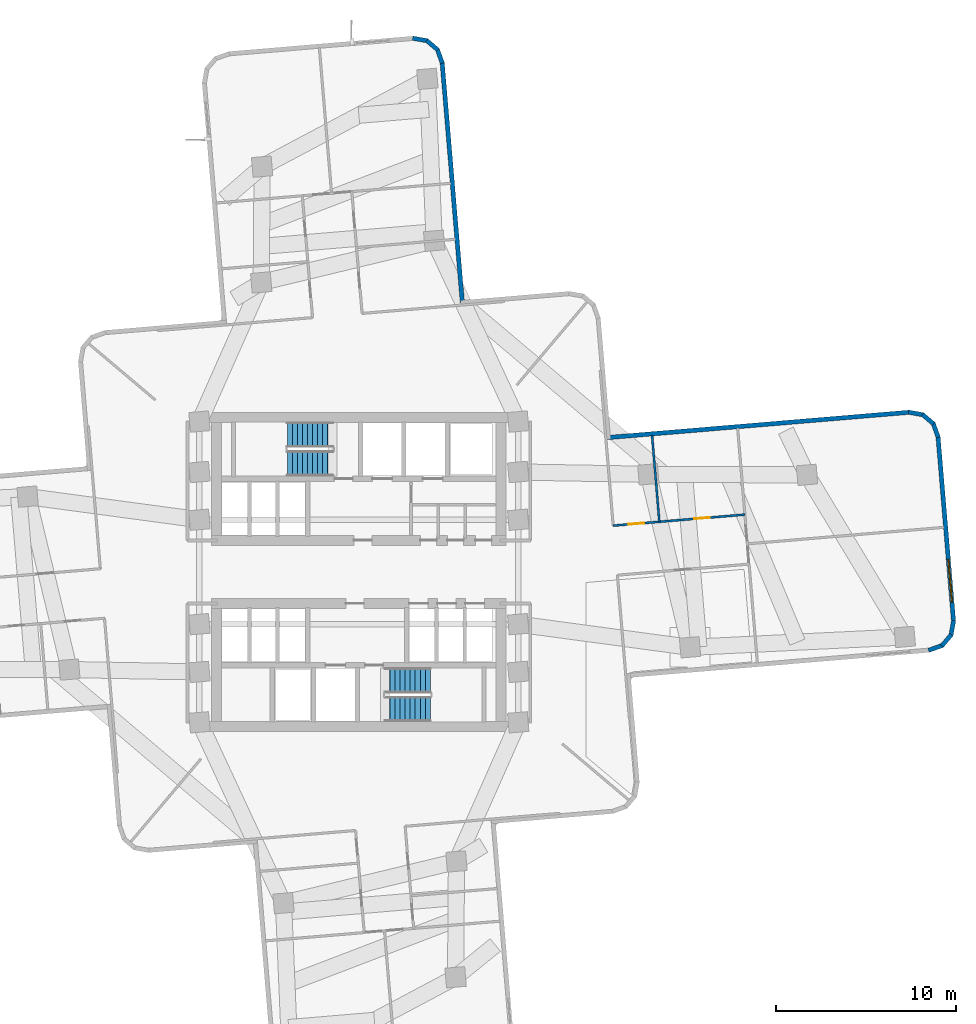
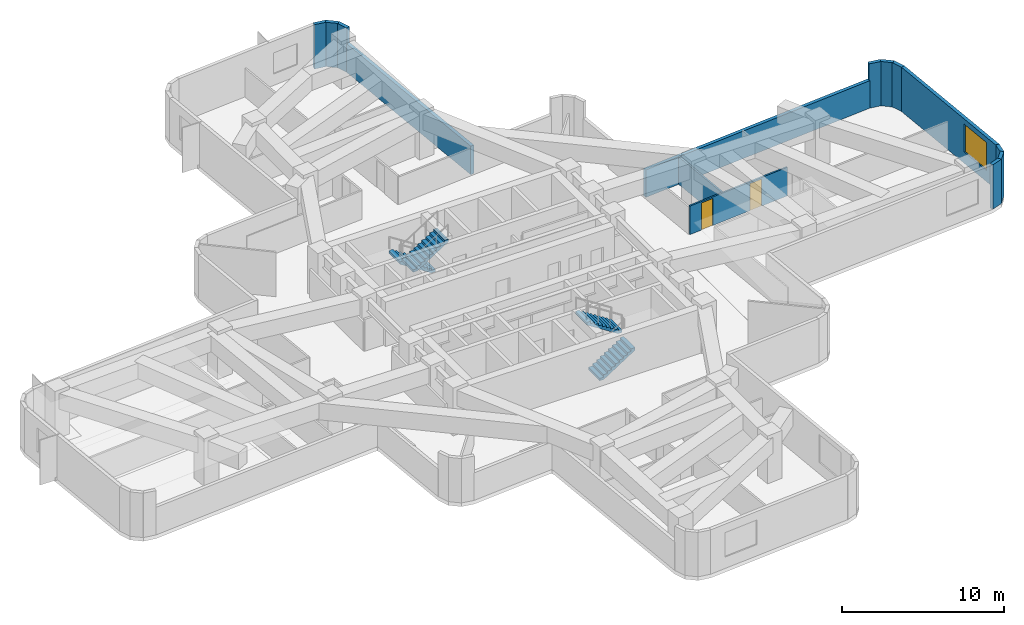
# One storey, part 6 of 11: 14 walls, 4 stair flights, 2 doors, 1 window, 3 openings, 2 elements without a shape of their own.
"""IFC4 building model written with IfcOpenShell, lengths in metres."""

from ifc_helpers import new_model, si_unit, direction, frame, frame_2d, origin, place, context, subcontext, project, spatial, polyline, rectangle, outline, extrude, material, layer, layer_set, type_object, element, fill, aggregate, save


model = new_model("IFC4")

# Units and contexts
model_context = context("Model", 3, precision=1e-05, world=origin(), true_north=direction((0.0, 1.0)))
body_context = subcontext(model_context, "Body", "Model", "MODEL_VIEW")
ifc_project = project(units=[si_unit("LENGTHUNIT", "METRE"), si_unit("AREAUNIT", "SQUARE_METRE"), si_unit("VOLUMEUNIT", "CUBIC_METRE"), si_unit("PLANEANGLEUNIT", "RADIAN"), si_unit("MASSUNIT", "GRAM", prefix="KILO")], contexts=[model_context])

# Site, building, storey
site_placement = place(None, origin())
site = spatial("IfcSite", under=ifc_project, at=site_placement, CompositionType="ELEMENT")
building_placement = place(site_placement, origin())
building = spatial("IfcBuilding", under=site, at=building_placement, Name="Solmarez Civic Tower", CompositionType="ELEMENT")
storey_placement = place(building_placement, frame((0.0, 0.0, 64.080078125)))
storey = spatial("IfcBuildingStorey", under=building, at=storey_placement, Name="L16", CompositionType="ELEMENT", Elevation=64.080078125)

# Walls
ifc_material_1 = material(Name="Precast concrete C40/50", Category="concrete")
ifc_layer_1 = layer(ifc_material_1, 0.239990234375)
ifc_layer_set_1 = layer_set([ifc_layer_1], Name="Precast concrete C40/50")
wall_type_1 = type_object("IfcWallType", Name="WALL-EXT-240", PredefinedType="SOLIDWALL", material=ifc_layer_set_1)
wall_1_placement = place(storey_placement, frame((2.989990234375, 29.639892578125, 0.0), z_axis=(0.0, 0.0, 1.0), x_axis=(0.98444754165, -0.175678791378, 0.0)))
element("IfcWall", 1, at=wall_1_placement, inside=storey, type_object=wall_type_1, Name="L16 Exterior Precast Wall 25", PredefinedType="SOLIDWALL", context=body_context, shape_type="SweptSolid", body=[
    extrude(rectangle(XDim=0.8310546875, YDim=0.239990234375, at=frame_2d((0.41552734375, 0.0))), origin(), (0.0, 0.0, 1.0), 3.33984375),
])
wall_2_placement = place(storey_placement, frame((3.763916015625, 29.513916015625, 0.0), z_axis=(0.0, 0.0, 1.0), x_axis=(0.763773335426, -0.645484540553, 0.0)))
element("IfcWall", 2, at=wall_2_placement, inside=storey, type_object=wall_type_1, Name="L16 Exterior Precast Wall 26", PredefinedType="SOLIDWALL", context=body_context, shape_type="SweptSolid", body=[
    extrude(rectangle(XDim=0.813232421875, YDim=0.239990234375, at=frame_2d((0.40673828125, 0.0))), origin(), (0.0, 0.0, 1.0), 3.33984375),
])
wall_3_placement = place(storey_placement, frame((4.35791015625, 29.029052734375, 0.0), z_axis=(0.0, 0.0, 1.0), x_axis=(0.338178397423, -0.941082021673, 0.0)))
element("IfcWall", 3, at=wall_3_placement, inside=storey, type_object=wall_type_1, Name="L16 Exterior Precast Wall 27", PredefinedType="SOLIDWALL", context=body_context, shape_type="SweptSolid", body=[
    extrude(rectangle(XDim=0.8310546875, YDim=0.239990234375, at=frame_2d((0.41552734375, 0.0))), origin(), (0.0, 0.0, 1.0), 3.33984375),
])
wall_4_placement = place(storey_placement, frame((4.62890625, 28.2958984375, 0.0), z_axis=(0.0, 0.0, 1.0), x_axis=(0.083649723304, -0.996495220155, 0.0)))
element("IfcWall", 4, at=wall_4_placement, inside=storey, type_object=wall_type_1, Name="L16 Exterior Precast Wall 28", PredefinedType="SOLIDWALL", context=body_context, shape_type="SweptSolid", body=[
    extrude(rectangle(XDim=13.47509765625, YDim=0.239990234375, at=frame_2d((6.737548828125, 0.0))), origin(), (0.0, 0.0, 1.0), 2.15185546875),
])
wall_5_placement = place(storey_placement, frame((13.758056640625, 7.4580078125, 0.0), z_axis=(0.0, 0.0, 1.0), x_axis=(0.996498704409, 0.083608205999, 0.0)))
element("IfcWall", 5, at=wall_5_placement, inside=storey, type_object=wall_type_1, Name="L16 Exterior Precast Wall 38", PredefinedType="SOLIDWALL", context=body_context, shape_type="SweptSolid", body=[
    extrude(rectangle(XDim=16.875, YDim=0.239990234375, at=frame_2d((8.4375, 0.0))), origin(), (0.0, 0.0, 1.0), 2.072021484375),
])
wall_6_placement = place(storey_placement, frame((30.52392578125, 8.87109375, 0.0), z_axis=(0.0, 0.0, 1.0), x_axis=(0.98444754165, -0.175678791378, 0.0)))
element("IfcWall", 6, at=wall_6_placement, inside=storey, type_object=wall_type_1, Name="L16 Exterior Precast Wall 39", PredefinedType="SOLIDWALL", context=body_context, shape_type="SweptSolid", body=[
    extrude(rectangle(XDim=0.8310546875, YDim=0.239990234375, at=frame_2d((0.41552734375, 0.0))), origin(), (0.0, 0.0, 1.0), 3.33984375),
])
wall_7_placement = place(storey_placement, frame((31.298095703125, 8.7451171875, 0.0), z_axis=(0.0, 0.0, 1.0), x_axis=(0.764000342655, -0.645215837083, 0.0)))
element("IfcWall", 7, at=wall_7_placement, inside=storey, type_object=wall_type_1, Name="L16 Exterior Precast Wall 40", PredefinedType="SOLIDWALL", context=body_context, shape_type="SweptSolid", body=[
    extrude(rectangle(XDim=0.81396484375, YDim=0.239990234375, at=frame_2d((0.406982421875, 0.0))), origin(), (0.0, 0.0, 1.0), 3.33984375),
])
wall_8_placement = place(storey_placement, frame((31.89306640625, 8.260009765625, 0.0), z_axis=(0.0, 0.0, 1.0), x_axis=(0.337136933599, -0.941455621898, 0.0)))
element("IfcWall", 8, at=wall_8_placement, inside=storey, type_object=wall_type_1, Name="L16 Exterior Precast Wall 41", PredefinedType="SOLIDWALL", context=body_context, shape_type="SweptSolid", body=[
    extrude(rectangle(XDim=0.83056640625, YDim=0.239990234375, at=frame_2d((0.415283203125, 0.0))), origin(), (0.0, 0.0, 1.0), 3.33984375),
])

# Wall, opening, window
wall_9_placement = place(storey_placement, frame((32.1630859375, 7.527099609375, 0.0), z_axis=(0.0, 0.0, 1.0), x_axis=(0.083619213047, -0.996497780835, 0.0)))
wall_9 = element("IfcWall", 9, at=wall_9_placement, inside=storey, type_object=wall_type_1, Name="L16 Exterior Precast Wall 42", PredefinedType="SOLIDWALL", context=body_context, shape_type="SweptSolid", body=[
    extrude(rectangle(XDim=10.318115234375, YDim=0.239990234375, at=frame_2d((5.1591796875, 0.0))), origin(), (0.0, 0.0, 1.0), 3.33984375),
])
opening_1_placement = place(wall_9_placement, frame((6.847900390625, 0.0, 0.85009765625)))
opening_1 = element("IfcOpeningElement", 10, at=opening_1_placement, cuts=wall_9, Name="Opening W-02", PredefinedType="OPENING", context=body_context, shape_type="SweptSolid", body=[
    extrude(rectangle(XDim=2.39990234375, YDim=2.10009765625, at=frame_2d((1.199951171875, 1.050048828125))), frame((0.0, 0.1298828125, 0.0), z_axis=(0.0, -1.0, 0.0), x_axis=(1.0, 0.0, 0.0)), (0.0, 0.0, 1.0), 0.260009765625),
])
ifc_material_2 = material(Name="Solar Control Bronze-Tinted Insulating Glass", Category="glass")
window_type = type_object("IfcWindowType", Name="WIN-2400X2100", PartitioningType="SINGLE_PANEL", PredefinedType="WINDOW", material=ifc_material_2)
window_placement = place(opening_1_placement, origin())
window = element("IfcWindow", 11, at=window_placement, inside=storey, type_object=window_type, Name="L16 Exterior Facade Window 42", OverallHeight=2.10009765625, OverallWidth=2.39990234375, PartitioningType="SINGLE_PANEL", PredefinedType="WINDOW", context=body_context, shape_type="SweptSolid", body=[
    extrude(rectangle(XDim=2.39990234375, YDim=2.10009765625, at=frame_2d((1.199951171875, 1.050048828125))), frame((0.0, 0.030029296875, 0.0), z_axis=(0.0, -1.0, 0.0), x_axis=(1.0, 0.0, 0.0)), (0.0, 0.0, 1.0), 0.06005859375),
])
fill(opening_1, window)

# Walls
wall_10_placement = place(storey_placement, frame((33.028076171875, -2.705078125, 0.0), z_axis=(0.0, 0.0, 1.0), x_axis=(-0.175729613604, -0.984438470857, 0.0)))
element("IfcWall", 12, at=wall_10_placement, inside=storey, type_object=wall_type_1, Name="L16 Exterior Precast Wall 43", PredefinedType="SOLIDWALL", context=body_context, shape_type="SweptSolid", body=[
    extrude(rectangle(XDim=0.830810546875, YDim=0.239990234375, at=frame_2d((0.41552734375, 0.0))), origin(), (0.0, 0.0, 1.0), 3.33984375),
])
wall_11_placement = place(storey_placement, frame((32.902099609375, -3.47900390625, 0.0), z_axis=(0.0, 0.0, 1.0), x_axis=(-0.645067994637, -0.764125174494, 0.0)))
element("IfcWall", 13, at=wall_11_placement, inside=storey, type_object=wall_type_1, Name="L16 Exterior Precast Wall 44", PredefinedType="SOLIDWALL", context=body_context, shape_type="SweptSolid", body=[
    extrude(rectangle(XDim=0.814208984375, YDim=0.239990234375, at=frame_2d((0.4072265625, 0.0))), origin(), (0.0, 0.0, 1.0), 3.33984375),
])
wall_12_placement = place(storey_placement, frame((32.4169921875, -4.073974609375, 0.0), z_axis=(0.0, 0.0, 1.0), x_axis=(-0.941455621898, -0.337136933599, 0.0)))
element("IfcWall", 14, at=wall_12_placement, inside=storey, type_object=wall_type_1, Name="L16 Exterior Precast Wall 45", PredefinedType="SOLIDWALL", context=body_context, shape_type="SweptSolid", body=[
    extrude(rectangle(XDim=0.83056640625, YDim=0.239990234375, at=frame_2d((0.415283203125, 0.0))), origin(), (0.0, 0.0, 1.0), 3.33984375),
])
ifc_material_3 = material(Name="Gypsum Board Acoustic Steel-Stud Partition", Category="steel")
ifc_layer_2 = layer(ifc_material_3, 0.1201171875)
ifc_layer_set_2 = layer_set([ifc_layer_2], Name="Gypsum Board Acoustic Steel-Stud Partition")
wall_type_2 = type_object("IfcWallType", Name="WALL-INT-PART-120", PredefinedType="PARTITIONING", material=ifc_layer_set_2)
wall_13_placement = place(storey_placement, frame((16.68408203125, 2.805908203125, 0.0), z_axis=(0.0, 0.0, 1.0), x_axis=(-0.083656467047, 0.996494654035, 0.0)))
element("IfcWall", 15, at=wall_13_placement, inside=storey, type_object=wall_type_2, Name="L16 Interior Partition PT-L16-E-LM", PredefinedType="PARTITIONING", context=body_context, shape_type="SweptSolid", body=[
    extrude(rectangle(XDim=4.794921875, YDim=0.1201171875, at=frame_2d((2.3974609375, 0.0))), origin(), (0.0, 0.0, 1.0), 2.072021484375),
])

# Wall, openings, doors
wall_14_placement = place(storey_placement, frame((21.43896484375, 3.18505859375, 0.0), z_axis=(0.0, 0.0, 1.0), x_axis=(-0.996495574947, -0.083645496662, 0.0)))
wall_14 = element("IfcWall", 16, at=wall_14_placement, inside=storey, type_object=wall_type_2, Name="L16 Interior Partition PT-L16-E-SL", PredefinedType="PARTITIONING", context=body_context, shape_type="SweptSolid", body=[
    extrude(rectangle(XDim=7.340576171875, YDim=0.1201171875, at=frame_2d((3.67041015625, 0.0))), origin(), (0.0, 0.0, 1.0), 2.15185546875),
])
opening_2_placement = place(wall_14_placement, frame((5.6259765625, 0.0, 0.0)))
opening_2 = element("IfcOpeningElement", 17, at=opening_2_placement, cuts=wall_14, Name="Opening D-14", PredefinedType="OPENING", context=body_context, shape_type="SweptSolid", body=[
    extrude(rectangle(XDim=0.860107421875, YDim=2.0400390625, at=frame_2d((0.43017578125, 1.02001953125))), frame((0.0, 0.070068359375, 0.0), z_axis=(0.0, -1.0, 0.0), x_axis=(1.0, 0.0, 0.0)), (0.0, 0.0, 1.0), 0.14013671875),
])
opening_3_placement = place(wall_14_placement, frame((1.9560546875, 0.0, 0.0)))
opening_3 = element("IfcOpeningElement", 18, at=opening_3_placement, cuts=wall_14, Name="Opening D-14", PredefinedType="OPENING", context=body_context, shape_type="SweptSolid", body=[
    extrude(rectangle(XDim=0.860107421875, YDim=2.0400390625, at=frame_2d((0.43017578125, 1.02001953125))), frame((0.0, 0.070068359375, 0.0), z_axis=(0.0, -1.0, 0.0), x_axis=(1.0, 0.0, 0.0)), (0.0, 0.0, 1.0), 0.14013671875),
])
ifc_material_4 = material(Name="Timber Storage and Pantry Door", Category="wood")
door_type = type_object("IfcDoorType", Name="DOOR-INT-850", OperationType="NOTDEFINED", PredefinedType="DOOR", material=ifc_material_4)
door_1_placement = place(opening_2_placement, origin())
door_1 = element("IfcDoor", 19, at=door_1_placement, inside=storey, type_object=door_type, Name="L16 Public Reception Room First East Door", OperationType="SINGLE_SWING_LEFT", OverallHeight=2.0400390625, OverallWidth=0.860107421875, PredefinedType="DOOR", context=body_context, shape_type="SweptSolid", body=[
    extrude(rectangle(XDim=0.860107421875, YDim=2.0400390625, at=frame_2d((0.43017578125, 1.02001953125))), frame((0.0, 0.02490234375, 0.0), z_axis=(0.0, -1.0, 0.0), x_axis=(1.0, 0.0, 0.0)), (0.0, 0.0, 1.0), 0.050048828125),
])
fill(opening_2, door_1)
door_2_placement = place(opening_3_placement, origin())
door_2 = element("IfcDoor", 20, at=door_2_placement, inside=storey, type_object=door_type, Name="L16 Delegation Concierge Room Second East Door", OperationType="SINGLE_SWING_RIGHT", OverallHeight=2.0400390625, OverallWidth=0.860107421875, PredefinedType="DOOR", context=body_context, shape_type="SweptSolid", body=[
    extrude(rectangle(XDim=0.860107421875, YDim=2.0400390625, at=frame_2d((0.43017578125, 1.02001953125))), frame((0.0, 0.02490234375, 0.0), z_axis=(0.0, -1.0, 0.0), x_axis=(1.0, 0.0, 0.0)), (0.0, 0.0, 1.0), 0.050048828125),
])
fill(opening_3, door_2)

# Stair, stair flights
ifc_material_5 = material(Name="Concrete C50/60", Category="concrete")
stair_type = type_object("IfcStairType", Name="STAIR-DOGLEG-140W-20R-1800", PredefinedType="HALF_TURN_STAIR", material=ifc_material_5)
stair_1_placement = place(storey_placement, origin())
stair_1 = element("IfcStair", 21, at=stair_1_placement, inside=storey, type_object=stair_type, Name="L16 North Core Protected Exit Stair ST-1", PredefinedType="HALF_TURN_STAIR")
stair_flight_type = type_object("IfcStairFlightType", Name="FLIGHT-DOGLEG-140W-10R-1800", PredefinedType="STRAIGHT", material=ifc_material_5)
stair_flight_1_placement = place(storey_placement, frame((-1.449951171875, 7.6201171875, 0.0), z_axis=(0.0, 0.0, 1.0), x_axis=(-1.0, 0.0, 0.0)))
stair_flight_1 = element("IfcStairFlight", 22, at=stair_flight_1_placement, type_object=stair_flight_type, Name="ST-1 flight 1", NumberOfRisers=10, NumberOfTreads=9, PredefinedType="STRAIGHT", RiserHeight=0.18, TreadLength=0.28, context=body_context, shape_type="SweptSolid", body=[
    extrude(outline(polyline([(0.0, 0.0), (0.0, 0.179931640625), (0.280029296875, 0.179931640625), (0.280029296875, 0.360107421875), (0.56005859375, 0.360107421875), (0.56005859375, 0.5400390625), (0.840087890625, 0.5400390625), (0.840087890625, 0.719970703125), (1.1201171875, 0.719970703125), (1.1201171875, 0.89990234375), (1.39990234375, 0.89990234375), (1.39990234375, 1.080078125), (1.679931640625, 1.080078125), (1.679931640625, 1.260009765625), (1.9599609375, 1.260009765625), (1.9599609375, 1.43994140625), (2.239990234375, 1.43994140625), (2.239990234375, 1.6201171875), (2.52001953125, 1.6201171875), (2.52001953125, 1.800048828125), (2.52001953125, 1.429931640625), (0.295654296875, 0.0), (0.0, 0.0)])), frame((0.0, 0.699951171875, 0.0), z_axis=(0.0, -1.0, 0.0), x_axis=(1.0, 0.0, 0.0)), (0.0, 0.0, 1.0), 1.39990234375),
])
stair_flight_2_placement = place(storey_placement, frame((-3.969970703125, 6.02001953125, 1.7998046875), z_axis=(0.0, 0.0, 1.0), x_axis=(1.0, 0.0, 0.0)))
stair_flight_2 = element("IfcStairFlight", 23, at=stair_flight_2_placement, type_object=stair_flight_type, Name="ST-1 flight 2", NumberOfRisers=10, NumberOfTreads=9, PredefinedType="STRAIGHT", RiserHeight=0.18, TreadLength=0.28, context=body_context, shape_type="SweptSolid", body=[
    extrude(outline(polyline([(0.0, 0.0), (0.0, 0.179931640625), (0.280029296875, 0.179931640625), (0.280029296875, 0.360107421875), (0.56005859375, 0.360107421875), (0.56005859375, 0.5400390625), (0.840087890625, 0.5400390625), (0.840087890625, 0.719970703125), (1.1201171875, 0.719970703125), (1.1201171875, 0.89990234375), (1.39990234375, 0.89990234375), (1.39990234375, 1.080078125), (1.679931640625, 1.080078125), (1.679931640625, 1.260009765625), (1.9599609375, 1.260009765625), (1.9599609375, 1.43994140625), (2.239990234375, 1.43994140625), (2.239990234375, 1.6201171875), (2.52001953125, 1.6201171875), (2.52001953125, 1.800048828125), (2.52001953125, 1.429931640625), (0.295654296875, 0.0), (0.0, 0.0)])), frame((0.0, 0.699951171875, 0.0), z_axis=(0.0, -1.0, 0.0), x_axis=(1.0, 0.0, 0.0)), (0.0, 0.0, 1.0), 1.39990234375),
])
aggregate(stair_1, [stair_flight_1, stair_flight_2])

stair_2_placement = place(storey_placement, origin())
stair_2 = element("IfcStair", 24, at=stair_2_placement, inside=storey, type_object=stair_type, Name="L16 South Core Protected Exit Stair ST-2", PredefinedType="HALF_TURN_STAIR")
stair_flight_3_placement = place(storey_placement, frame((1.449951171875, -7.6201171875, 0.0), z_axis=(0.0, 0.0, 1.0), x_axis=(1.0, 0.0, 0.0)))
stair_flight_3 = element("IfcStairFlight", 25, at=stair_flight_3_placement, type_object=stair_flight_type, Name="ST-2 flight 1", NumberOfRisers=10, NumberOfTreads=9, PredefinedType="STRAIGHT", RiserHeight=0.18, TreadLength=0.28, context=body_context, shape_type="SweptSolid", body=[
    extrude(outline(polyline([(0.0, 0.0), (0.0, 0.179931640625), (0.280029296875, 0.179931640625), (0.280029296875, 0.360107421875), (0.56005859375, 0.360107421875), (0.56005859375, 0.5400390625), (0.840087890625, 0.5400390625), (0.840087890625, 0.719970703125), (1.1201171875, 0.719970703125), (1.1201171875, 0.89990234375), (1.39990234375, 0.89990234375), (1.39990234375, 1.080078125), (1.679931640625, 1.080078125), (1.679931640625, 1.260009765625), (1.9599609375, 1.260009765625), (1.9599609375, 1.43994140625), (2.239990234375, 1.43994140625), (2.239990234375, 1.6201171875), (2.52001953125, 1.6201171875), (2.52001953125, 1.800048828125), (2.52001953125, 1.429931640625), (0.295654296875, 0.0), (0.0, 0.0)])), frame((0.0, 0.699951171875, 0.0), z_axis=(0.0, -1.0, 0.0), x_axis=(1.0, 0.0, 0.0)), (0.0, 0.0, 1.0), 1.39990234375),
])
stair_flight_4_placement = place(storey_placement, frame((3.969970703125, -6.02001953125, 1.7998046875), z_axis=(0.0, 0.0, 1.0), x_axis=(-1.0, 0.0, 0.0)))
stair_flight_4 = element("IfcStairFlight", 26, at=stair_flight_4_placement, type_object=stair_flight_type, Name="ST-2 flight 2", NumberOfRisers=10, NumberOfTreads=9, PredefinedType="STRAIGHT", RiserHeight=0.18, TreadLength=0.28, context=body_context, shape_type="SweptSolid", body=[
    extrude(outline(polyline([(0.0, 0.0), (0.0, 0.179931640625), (0.280029296875, 0.179931640625), (0.280029296875, 0.360107421875), (0.56005859375, 0.360107421875), (0.56005859375, 0.5400390625), (0.840087890625, 0.5400390625), (0.840087890625, 0.719970703125), (1.1201171875, 0.719970703125), (1.1201171875, 0.89990234375), (1.39990234375, 0.89990234375), (1.39990234375, 1.080078125), (1.679931640625, 1.080078125), (1.679931640625, 1.260009765625), (1.9599609375, 1.260009765625), (1.9599609375, 1.43994140625), (2.239990234375, 1.43994140625), (2.239990234375, 1.6201171875), (2.52001953125, 1.6201171875), (2.52001953125, 1.800048828125), (2.52001953125, 1.429931640625), (0.295654296875, 0.0), (0.0, 0.0)])), frame((0.0, 0.699951171875, 0.0), z_axis=(0.0, -1.0, 0.0), x_axis=(1.0, 0.0, 0.0)), (0.0, 0.0, 1.0), 1.39990234375),
])
aggregate(stair_2, [stair_flight_3, stair_flight_4])

save(model, "model.ifc")
